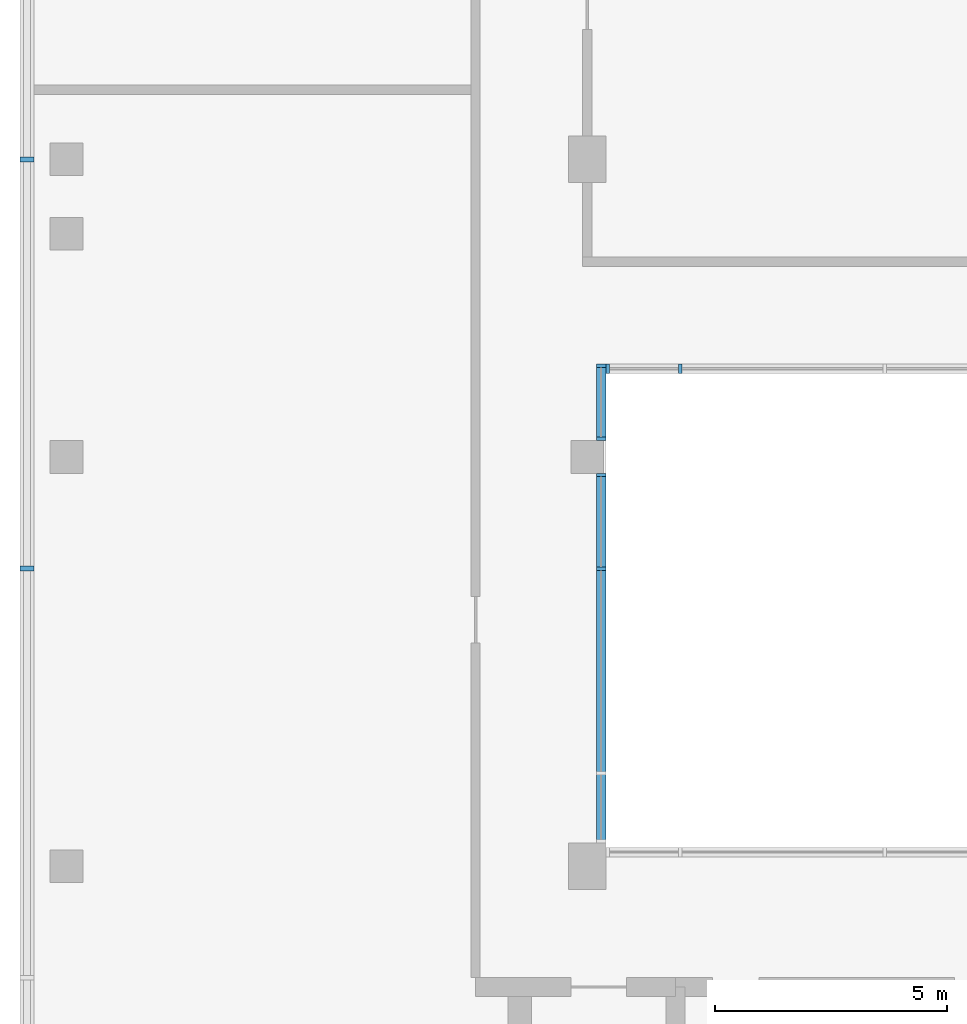
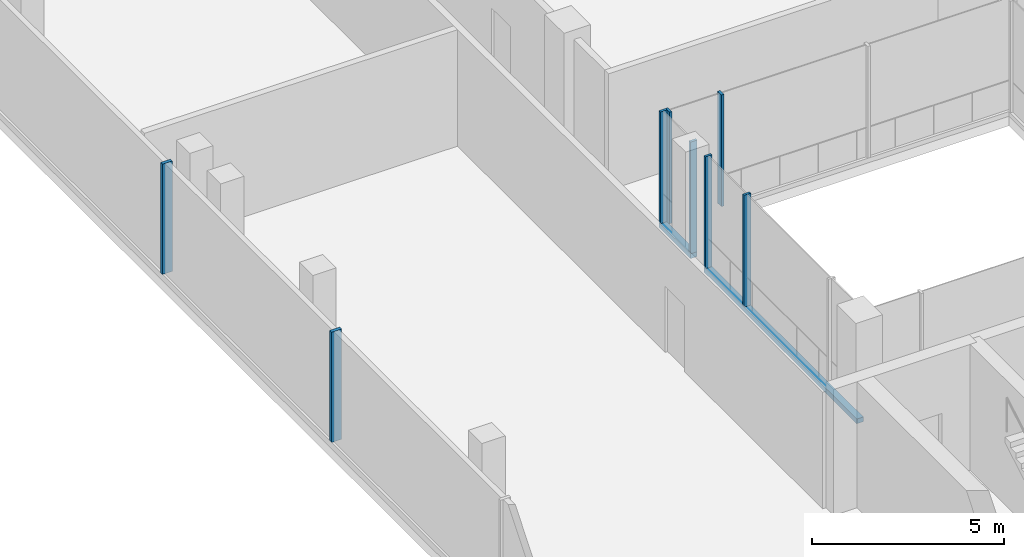
# One storey, part 3 of 10: 10 members, 4 elements without a shape of their own.
"""IFC4 building model written with IfcOpenShell, lengths in metres."""

from ifc_helpers import new_model, si_unit, direction, frame, origin, origin_2d, place, context, subcontext, project, spatial, rectangle, extrude, source, transform, mapped, material, material_profile, profile_set, type_object, element, aggregate, save


model = new_model("IFC4")

# Units and contexts
model_context = context("Model", 3, precision=1e-05, world=origin(), true_north=direction((0.0, 1.0)))
body_context = subcontext(model_context, "Body", "Model", "MODEL_VIEW")
ifc_project = project(units=[si_unit("LENGTHUNIT", "METRE"), si_unit("AREAUNIT", "SQUARE_METRE"), si_unit("VOLUMEUNIT", "CUBIC_METRE"), si_unit("PLANEANGLEUNIT", "RADIAN"), si_unit("MASSUNIT", "GRAM", prefix="KILO")], contexts=[model_context])

# Site, building, storey
site_placement = place(None, origin())
site = spatial("IfcSite", under=ifc_project, at=site_placement, CompositionType="ELEMENT")
building_placement = place(site_placement, origin())
building = spatial("IfcBuilding", under=site, at=building_placement, Name="Kemantara Hotel Tower", CompositionType="ELEMENT")
storey_placement = place(building_placement, frame((0.0, 0.0, 318.199951171875)))
storey = spatial("IfcBuildingStorey", under=building, at=storey_placement, Name="L80", CompositionType="ELEMENT", Elevation=318.199951171875)

# Curtain wall, member
ifc_material_1 = material(Name="Clear low-iron laminated glass 36 mm", Category="glass")
curtain_wall_type_1 = type_object("IfcCurtainWallType", Name="ATRIUM GLAZING WALL", PredefinedType="USERDEFINED", material=ifc_material_1)
curtain_wall_1_placement = place(storey_placement, origin())
curtain_wall_1 = element("IfcCurtainWall", 1, at=curtain_wall_1_placement, inside=storey, type_object=curtain_wall_type_1, Name="CW5 L80 ATR-R3-1", ObjectType="ATRIUM GLAZING WALL", PredefinedType="USERDEFINED")
ifc_material_2 = material(Name="Aluminium 6063-T6 bronze anodised", Category="aluminium")
ifc_material_profile_1 = material_profile(ifc_material_2, rectangle(XDim=0.199951171875, YDim=0.14990234375, at=origin_2d()), Name="ATRIUM GLAZING WALL TRANSOM")
ifc_profile_set_1 = profile_set([ifc_material_profile_1], Name="Aluminium 6063-T6 bronze anodised")
member_type_1 = type_object("IfcMemberType", Name="ATRIUM GLAZING WALL TRANSOM", PredefinedType="USERDEFINED", material=ifc_profile_set_1)
member_1_placement = place(storey_placement, frame((12.5, 12.699951171875, 0.074951171875), z_axis=(0.0, 1.0, 0.0), x_axis=(-1.0, 0.0, 0.0)))
member_1 = element("IfcMember", 2, at=member_1_placement, type_object=member_type_1, Name="CW5 sill transom ATR-R3-1", ObjectType="TRANSOM", PredefinedType="USERDEFINED", context=body_context, shape_type="SweptSolid", body=[
    extrude(rectangle(XDim=0.199951171875, YDim=0.14990234375, at=origin_2d()), origin(), (0.0, 0.0, 1.0), 7.949951171875),
])

curtain_wall_2_placement = place(storey_placement, origin())
curtain_wall_2 = element("IfcCurtainWall", 3, at=curtain_wall_2_placement, inside=storey, type_object=curtain_wall_type_1, Name="CW5 L80 ATR-R3-2", ObjectType="ATRIUM GLAZING WALL", PredefinedType="USERDEFINED")
member_2_placement = place(storey_placement, frame((12.5, 21.35009765625, 0.074951171875), z_axis=(0.0, 1.0, 0.0), x_axis=(-1.0, 0.0, 0.0)))
member_2 = element("IfcMember", 4, at=member_2_placement, type_object=member_type_1, Name="CW5 sill transom ATR-R3-2", ObjectType="TRANSOM", PredefinedType="USERDEFINED", context=body_context, shape_type="SweptSolid", body=[
    extrude(rectangle(XDim=0.199951171875, YDim=0.14990234375, at=origin_2d()), origin(), (0.0, 0.0, 1.0), 1.64990234375),
])

# Curtain wall, members
curtain_wall_type_2 = type_object("IfcCurtainWallType", Name="CROWN LOUVRE SCREEN WALL", PredefinedType="USERDEFINED", material=ifc_material_2)
curtain_wall_3_placement = place(storey_placement, origin())
curtain_wall_3 = element("IfcCurtainWall", 5, at=curtain_wall_3_placement, inside=storey, type_object=curtain_wall_type_2, Name="CW7 L80 CRN-R05-1", ObjectType="CROWN LOUVRE SCREEN WALL", PredefinedType="USERDEFINED")
ifc_material_profile_2 = material_profile(ifc_material_2, rectangle(XDim=0.300048828125, YDim=0.10009765625, at=origin_2d()), Name="CROWN LOUVRE SCREEN WALL MULLION")
ifc_profile_set_2 = profile_set([ifc_material_profile_2], Name="Aluminium 6063-T6 bronze anodised")
member_type_2 = type_object("IfcMemberType", Name="CROWN LOUVRE SCREEN WALL MULLION", PredefinedType="MULLION", material=ifc_profile_set_2)
shared_shape_1 = source(origin(), body_context, "Body", "SweptSolid", [
    extrude(rectangle(XDim=0.300048828125, YDim=0.10009765625, at=origin_2d()), origin(), (0.0, 0.0, 1.0), 3.5),
])
member_3_placement = place(storey_placement, frame((0.14990234375, 27.39990234375, 0.199951171875), z_axis=(0.0, 0.0, 1.0), x_axis=(1.0, 0.0, 0.0)))
member_3 = element("IfcMember", 6, at=member_3_placement, type_object=member_type_2, Name="CW7 mullion CRN-R05-1.5", PredefinedType="MULLION", context=body_context, shape_type="MappedRepresentation", body=[
    mapped(shared_shape_1, transform((0.0, 0.0, 0.0))),
])
member_4_placement = place(storey_placement, frame((0.14990234375, 18.60009765625, 0.199951171875), z_axis=(0.0, 0.0, 1.0), x_axis=(1.0, 0.0, 0.0)))
member_4 = element("IfcMember", 7, at=member_4_placement, type_object=member_type_2, Name="CW7 mullion CRN-R05-1.6", PredefinedType="MULLION", context=body_context, shape_type="MappedRepresentation", body=[
    mapped(shared_shape_1, transform((0.0, 0.0, 0.0))),
])
aggregate(curtain_wall_3, [member_3, member_4])

curtain_wall_4_placement = place(storey_placement, origin())
curtain_wall_4 = element("IfcCurtainWall", 8, at=curtain_wall_4_placement, inside=storey, type_object=curtain_wall_type_1, Name="CW5 L80 ATR-R0-1", ObjectType="ATRIUM GLAZING WALL", PredefinedType="USERDEFINED")
ifc_material_profile_3 = material_profile(ifc_material_2, rectangle(XDim=0.199951171875, YDim=0.074951171875, at=origin_2d()), Name="ATRIUM GLAZING WALL MULLION")
ifc_profile_set_3 = profile_set([ifc_material_profile_3], Name="Aluminium 6063-T6 bronze anodised")
member_type_3 = type_object("IfcMemberType", Name="ATRIUM GLAZING WALL MULLION", PredefinedType="MULLION", material=ifc_profile_set_3)
shared_shape_2 = source(origin(), body_context, "Body", "SweptSolid", [
    extrude(rectangle(XDim=0.199951171875, YDim=0.074951171875, at=origin_2d()), origin(), (0.0, 0.0, 1.0), 3.5498046875),
])
member_5_placement = place(storey_placement, frame((12.637451171875, 22.89990234375, 0.150146484375), z_axis=(0.0, 0.0, 1.0), x_axis=(0.0, 1.0, 0.0)))
member_5 = element("IfcMember", 9, at=member_5_placement, type_object=member_type_3, Name="CW5 mullion ATR-R0-1.1", PredefinedType="MULLION", context=body_context, shape_type="MappedRepresentation", body=[
    mapped(shared_shape_2, transform((0.0, 0.0, 0.0))),
])
member_6_placement = place(storey_placement, frame((14.199951171875, 22.89990234375, 0.150146484375), z_axis=(0.0, 0.0, 1.0), x_axis=(0.0, 1.0, 0.0)))
member_6 = element("IfcMember", 10, at=member_6_placement, type_object=member_type_3, Name="CW5 mullion ATR-R0-1.2", PredefinedType="MULLION", context=body_context, shape_type="MappedRepresentation", body=[
    mapped(shared_shape_2, transform((0.0, 0.0, 0.0))),
])
aggregate(curtain_wall_4, [member_5, member_6])

# Member
member_7_placement = place(storey_placement, frame((12.5, 18.60009765625, 0.150146484375), z_axis=(0.0, 0.0, 1.0), x_axis=(-1.0, 0.0, 0.0)))
member_7 = element("IfcMember", 11, at=member_7_placement, type_object=member_type_3, Name="CW5 mullion ATR-R3-1.3", PredefinedType="MULLION", context=body_context, shape_type="MappedRepresentation", body=[
    mapped(shared_shape_2, transform((0.0, 0.0, 0.0))),
])

member_8_placement = place(storey_placement, frame((12.5, 20.612548828125, 0.150146484375), z_axis=(0.0, 0.0, 1.0), x_axis=(-1.0, 0.0, 0.0)))
member_8 = element("IfcMember", 12, at=member_8_placement, type_object=member_type_3, Name="CW5 mullion ATR-R3-1.4", PredefinedType="MULLION", context=body_context, shape_type="MappedRepresentation", body=[
    mapped(shared_shape_2, transform((0.0, 0.0, 0.0))),
])

aggregate(curtain_wall_1, [member_1, member_7, member_8])

member_9_placement = place(storey_placement, frame((12.5, 21.387451171875, 0.150146484375), z_axis=(0.0, 0.0, 1.0), x_axis=(-1.0, 0.0, 0.0)))
member_9 = element("IfcMember", 13, at=member_9_placement, type_object=member_type_3, Name="CW5 mullion ATR-R3-2.1", PredefinedType="MULLION", context=body_context, shape_type="MappedRepresentation", body=[
    mapped(shared_shape_2, transform((0.0, 0.0, 0.0))),
])

member_10_placement = place(storey_placement, frame((12.5, 22.96240234375, 0.150146484375), z_axis=(0.0, 0.0, 1.0), x_axis=(-1.0, 0.0, 0.0)))
member_10 = element("IfcMember", 14, at=member_10_placement, type_object=member_type_3, Name="CW5 mullion ATR-R3-2.2", PredefinedType="MULLION", context=body_context, shape_type="MappedRepresentation", body=[
    mapped(shared_shape_2, transform((0.0, 0.0, 0.0))),
])

aggregate(curtain_wall_2, [member_2, member_9, member_10])

save(model, "model.ifc")
